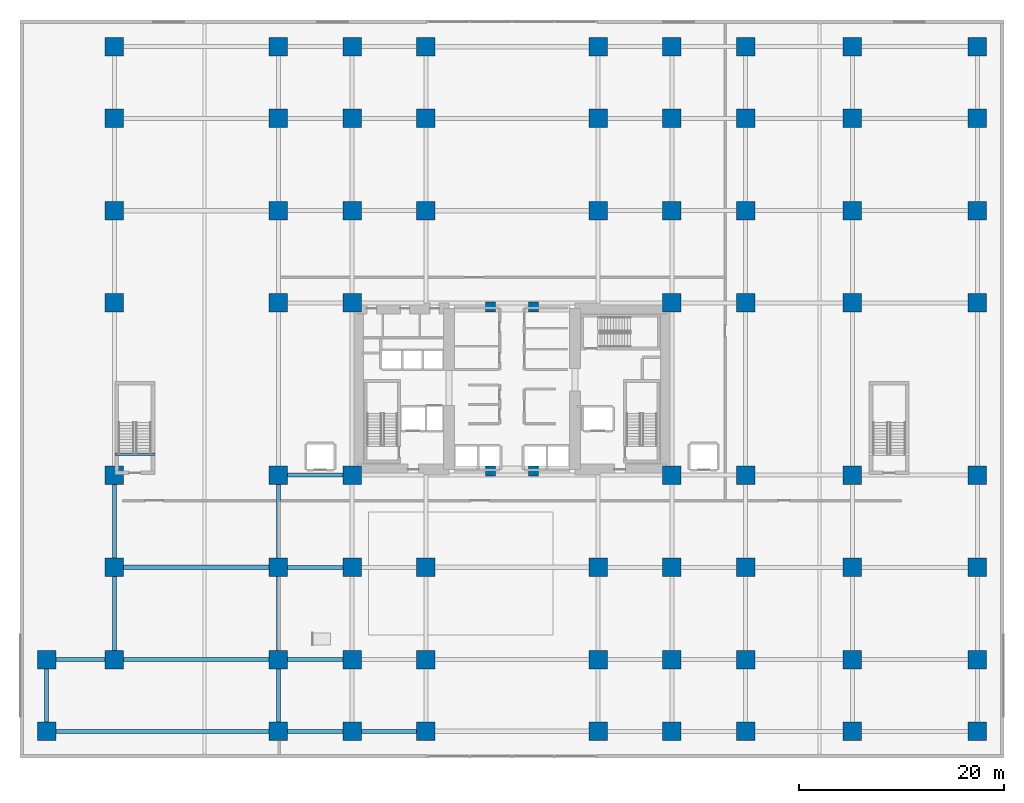
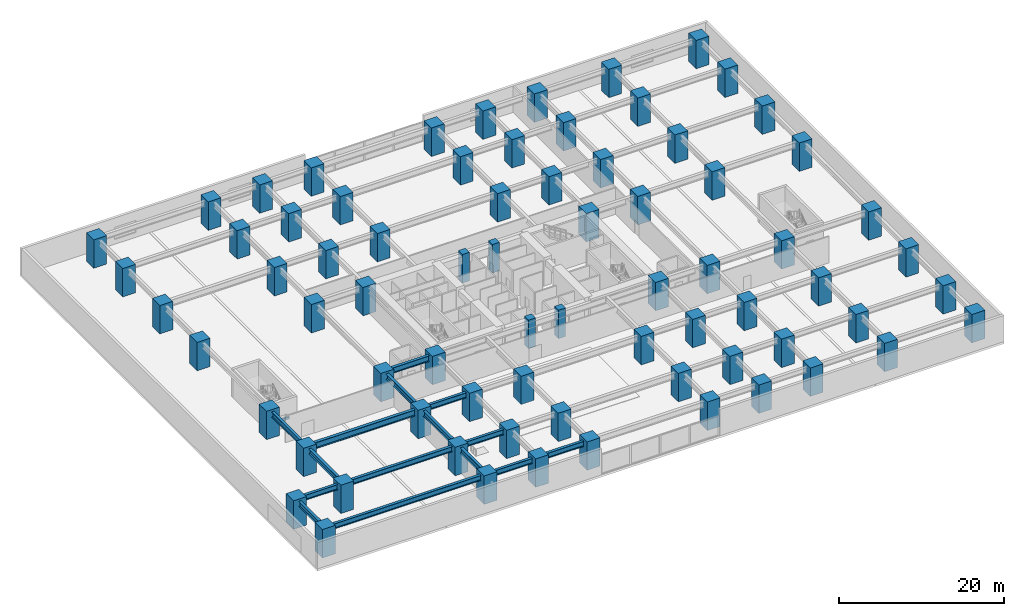
# One storey, part 1 of 22: 73 columns, 15 beams.
"""IFC4 building model written with IfcOpenShell, lengths in metres."""

from ifc_helpers import new_model, si_unit, direction, frame, origin, origin_2d, place, context, subcontext, project, spatial, rectangle, i_section, extrude, material, material_profile, profile_set, type_object, element, save


model = new_model("IFC4")

# Units and contexts
model_context = context("Model", 3, precision=1e-05, world=origin(), true_north=direction((0.0, 1.0)))
body_context = subcontext(model_context, "Body", "Model", "MODEL_VIEW")
ifc_project = project(units=[si_unit("LENGTHUNIT", "METRE"), si_unit("AREAUNIT", "SQUARE_METRE"), si_unit("VOLUMEUNIT", "CUBIC_METRE"), si_unit("PLANEANGLEUNIT", "RADIAN"), si_unit("MASSUNIT", "GRAM", prefix="KILO")], contexts=[model_context])

# Site, building, storey
site_placement = place(None, origin())
site = spatial("IfcSite", under=ifc_project, at=site_placement, CompositionType="ELEMENT")
building_placement = place(site_placement, origin())
building = spatial("IfcBuilding", under=site, at=building_placement, Name="Kiyonajd Concourse Tower", CompositionType="ELEMENT")
storey_placement = place(building_placement, frame((0.0, 0.0, 4.5)))
storey = spatial("IfcBuildingStorey", under=building, at=storey_placement, Name="L02", CompositionType="ELEMENT", Elevation=4.5)

# Columns
ifc_material_1 = material(Name="Concrete C80/95", Category="concrete")
ifc_material_profile_1 = material_profile(ifc_material_1, rectangle(XDim=1.800048828125, YDim=1.800048828125, at=origin_2d()), Name="RC-1800x1800")
ifc_profile_set_1 = profile_set([ifc_material_profile_1], Name="Concrete C80/95")
column_type_1 = type_object("IfcColumnType", Name="CL-MEGA-1800", PredefinedType="COLUMN", material=ifc_profile_set_1)
for number, where, z_axis, x_axis, name in (
    (1, (2.60009765625, 2.60009765625, 0.0), (0.0, 0.0, 1.0), (1.0, 0.0, 0.0), "L02 Podium Mega Column"),
    (2, (2.60009765625, 9.60009765625, 0.0), (0.0, 0.0, 1.0), (1.0, 0.0, 0.0), "L02 Podium Mega Column"),
    (3, (9.199951171875, 9.60009765625, 0.0), (0.0, 0.0, 1.0), (1.0, 0.0, 0.0), "L02 Podium Mega Column"),
    (4, (9.199951171875, 18.60009765625, 0.0), (0.0, 0.0, 1.0), (1.0, 0.0, 0.0), "L02 Podium Mega Column"),
    (5, (9.199951171875, 27.60009765625, 0.0), (0.0, 0.0, 1.0), (1.0, 0.0, 0.0), "L02 Podium Mega Column"),
    (6, (9.199951171875, 44.39990234375, 0.0), (0.0, 0.0, 1.0), (1.0, 0.0, 0.0), "L02 Podium Mega Column"),
    (7, (9.199951171875, 53.39990234375, 0.0), (0.0, 0.0, 1.0), (1.0, 0.0, 0.0), "L02 Podium Mega Column"),
    (8, (9.199951171875, 62.39990234375, 0.0), (0.0, 0.0, 1.0), (1.0, 0.0, 0.0), "L02 Podium Mega Column"),
    (9, (9.199951171875, 69.39990234375, 0.0), (0.0, 0.0, 1.0), (1.0, 0.0, 0.0), "L02 Podium Mega Column"),
    (10, (25.199951171875, 2.60009765625, 0.0), (0.0, 0.0, 1.0), (1.0, 0.0, 0.0), "L02 Podium Mega Column"),
    (11, (25.199951171875, 9.60009765625, 0.0), (0.0, 0.0, 1.0), (1.0, 0.0, 0.0), "L02 Podium Mega Column"),
    (12, (25.199951171875, 18.60009765625, 0.0), (0.0, 0.0, 1.0), (1.0, 0.0, 0.0), "L02 Podium Mega Column"),
    (13, (25.199951171875, 27.60009765625, 0.0), (0.0, 0.0, 1.0), (1.0, 0.0, 0.0), "L02 Podium Mega Column"),
    (14, (25.199951171875, 44.39990234375, 0.0), (0.0, 0.0, 1.0), (1.0, 0.0, 0.0), "L02 Podium Mega Column"),
    (15, (25.199951171875, 53.39990234375, 0.0), (0.0, 0.0, 1.0), (1.0, 0.0, 0.0), "L02 Podium Mega Column"),
    (16, (25.199951171875, 62.39990234375, 0.0), (0.0, 0.0, 1.0), (1.0, 0.0, 0.0), "L02 Podium Mega Column"),
    (17, (25.199951171875, 69.39990234375, 0.0), (0.0, 0.0, 1.0), (1.0, 0.0, 0.0), "L02 Podium Mega Column"),
    (18, (32.39990234375, 2.60009765625, 0.0), (0.0, 0.0, 1.0), (1.0, 0.0, 0.0), "L02 Podium Mega Column"),
    (19, (32.39990234375, 9.60009765625, 0.0), (0.0, 0.0, 1.0), (1.0, 0.0, 0.0), "L02 Podium Mega Column"),
    (20, (32.39990234375, 18.60009765625, 0.0), (0.0, 0.0, 1.0), (1.0, 0.0, 0.0), "L02 Podium Mega Column"),
    (21, (32.39990234375, 27.60009765625, 0.0), (0.0, 0.0, 1.0), (1.0, 0.0, 0.0), "L02 Podium Mega Column"),
    (22, (32.39990234375, 44.39990234375, 0.0), (0.0, 0.0, 1.0), (1.0, 0.0, 0.0), "L02 Podium Mega Column"),
    (23, (32.39990234375, 53.39990234375, 0.0), (0.0, 0.0, 1.0), (1.0, 0.0, 0.0), "L02 Podium Mega Column"),
    (24, (32.39990234375, 62.39990234375, 0.0), (0.0, 0.0, 1.0), (1.0, 0.0, 0.0), "L02 Podium Mega Column"),
    (25, (32.39990234375, 69.39990234375, 0.0), (0.0, 0.0, 1.0), (1.0, 0.0, 0.0), "L02 Podium Mega Column"),
    (26, (39.60009765625, 2.60009765625, 0.0), (0.0, 0.0, 1.0), (1.0, 0.0, 0.0), "L02 Podium Mega Column"),
    (27, (39.60009765625, 9.60009765625, 0.0), (0.0, 0.0, 1.0), (1.0, 0.0, 0.0), "L02 Podium Mega Column"),
    (28, (39.60009765625, 18.60009765625, 0.0), (0.0, 0.0, 1.0), (1.0, 0.0, 0.0), "L02 Podium Mega Column"),
    (29, (39.60009765625, 53.39990234375, 0.0), (0.0, 0.0, 1.0), (1.0, 0.0, 0.0), "L02 Podium Mega Column"),
    (30, (39.60009765625, 62.39990234375, 0.0), (0.0, 0.0, 1.0), (1.0, 0.0, 0.0), "L02 Podium Mega Column"),
    (31, (39.60009765625, 69.39990234375, 0.0), (0.0, 0.0, 1.0), (1.0, 0.0, 0.0), "L02 Podium Mega Column"),
    (32, (56.39990234375, 2.60009765625, 0.0), (0.0, 0.0, 1.0), (1.0, 0.0, 0.0), "L02 Podium Mega Column"),
    (33, (56.39990234375, 9.60009765625, 0.0), (0.0, 0.0, 1.0), (1.0, 0.0, 0.0), "L02 Podium Mega Column"),
    (34, (56.39990234375, 18.60009765625, 0.0), (0.0, 0.0, 1.0), (1.0, 0.0, 0.0), "L02 Podium Mega Column"),
    (35, (56.39990234375, 53.39990234375, 0.0), (0.0, 0.0, 1.0), (1.0, 0.0, 0.0), "L02 Podium Mega Column"),
    (36, (56.39990234375, 62.39990234375, 0.0), (0.0, 0.0, 1.0), (1.0, 0.0, 0.0), "L02 Podium Mega Column"),
    (37, (56.39990234375, 69.39990234375, 0.0), (0.0, 0.0, 1.0), (1.0, 0.0, 0.0), "L02 Podium Mega Column"),
    (38, (63.60009765625, 2.60009765625, 0.0), (0.0, 0.0, 1.0), (1.0, 0.0, 0.0), "L02 Podium Mega Column"),
    (39, (63.60009765625, 9.60009765625, 0.0), (0.0, 0.0, 1.0), (1.0, 0.0, 0.0), "L02 Podium Mega Column"),
    (40, (63.60009765625, 18.60009765625, 0.0), (0.0, 0.0, 1.0), (1.0, 0.0, 0.0), "L02 Podium Mega Column"),
    (41, (63.60009765625, 27.60009765625, 0.0), (0.0, 0.0, 1.0), (1.0, 0.0, 0.0), "L02 Podium Mega Column"),
    (42, (63.60009765625, 44.39990234375, 0.0), (0.0, 0.0, 1.0), (1.0, 0.0, 0.0), "L02 Podium Mega Column"),
    (43, (63.60009765625, 53.39990234375, 0.0), (0.0, 0.0, 1.0), (1.0, 0.0, 0.0), "L02 Podium Mega Column"),
    (44, (63.60009765625, 62.39990234375, 0.0), (0.0, 0.0, 1.0), (1.0, 0.0, 0.0), "L02 Podium Mega Column"),
    (45, (63.60009765625, 69.39990234375, 0.0), (0.0, 0.0, 1.0), (1.0, 0.0, 0.0), "L02 Podium Mega Column"),
    (46, (70.800048828125, 2.60009765625, 0.0), (0.0, 0.0, 1.0), (1.0, 0.0, 0.0), "L02 Podium Mega Column"),
    (47, (70.800048828125, 9.60009765625, 0.0), (0.0, 0.0, 1.0), (1.0, 0.0, 0.0), "L02 Podium Mega Column"),
    (48, (70.800048828125, 18.60009765625, 0.0), (0.0, 0.0, 1.0), (1.0, 0.0, 0.0), "L02 Podium Mega Column"),
    (49, (70.800048828125, 27.60009765625, 0.0), (0.0, 0.0, 1.0), (1.0, 0.0, 0.0), "L02 Podium Mega Column"),
    (50, (70.800048828125, 44.39990234375, 0.0), (0.0, 0.0, 1.0), (1.0, 0.0, 0.0), "L02 Podium Mega Column"),
    (51, (70.800048828125, 53.39990234375, 0.0), (0.0, 0.0, 1.0), (1.0, 0.0, 0.0), "L02 Podium Mega Column"),
    (52, (70.800048828125, 62.39990234375, 0.0), (0.0, 0.0, 1.0), (1.0, 0.0, 0.0), "L02 Podium Mega Column"),
    (53, (70.800048828125, 69.39990234375, 0.0), (0.0, 0.0, 1.0), (1.0, 0.0, 0.0), "L02 Podium Mega Column"),
    (54, (81.199951171875, 2.60009765625, 0.0), (0.0, 0.0, 1.0), (1.0, 0.0, 0.0), "L02 Podium Mega Column"),
    (55, (81.199951171875, 9.60009765625, 0.0), (0.0, 0.0, 1.0), (1.0, 0.0, 0.0), "L02 Podium Mega Column"),
    (56, (81.199951171875, 18.60009765625, 0.0), (0.0, 0.0, 1.0), (1.0, 0.0, 0.0), "L02 Podium Mega Column"),
    (57, (81.199951171875, 27.60009765625, 0.0), (0.0, 0.0, 1.0), (1.0, 0.0, 0.0), "L02 Podium Mega Column"),
    (58, (81.199951171875, 44.39990234375, 0.0), (0.0, 0.0, 1.0), (1.0, 0.0, 0.0), "L02 Podium Mega Column"),
    (59, (81.199951171875, 53.39990234375, 0.0), (0.0, 0.0, 1.0), (1.0, 0.0, 0.0), "L02 Podium Mega Column"),
    (60, (81.199951171875, 62.39990234375, 0.0), (0.0, 0.0, 1.0), (1.0, 0.0, 0.0), "L02 Podium Mega Column"),
    (61, (81.199951171875, 69.39990234375, 0.0), (0.0, 0.0, 1.0), (1.0, 0.0, 0.0), "L02 Podium Mega Column"),
    (62, (93.39990234375, 2.60009765625, 0.0), (0.0, 0.0, 1.0), (1.0, 0.0, 0.0), "L02 Podium Mega Column"),
    (63, (93.39990234375, 9.60009765625, 0.0), (0.0, 0.0, 1.0), (1.0, 0.0, 0.0), "L02 Podium Mega Column"),
    (64, (93.39990234375, 18.60009765625, 0.0), (0.0, 0.0, 1.0), (1.0, 0.0, 0.0), "L02 Podium Mega Column"),
    (65, (93.39990234375, 27.60009765625, 0.0), (0.0, 0.0, 1.0), (1.0, 0.0, 0.0), "L02 Podium Mega Column"),
    (66, (93.39990234375, 44.39990234375, 0.0), (0.0, 0.0, 1.0), (1.0, 0.0, 0.0), "L02 Podium Mega Column"),
    (67, (93.39990234375, 53.39990234375, 0.0), (0.0, 0.0, 1.0), (1.0, 0.0, 0.0), "L02 Podium Mega Column"),
    (68, (93.39990234375, 62.39990234375, 0.0), (0.0, 0.0, 1.0), (1.0, 0.0, 0.0), "L02 Podium Mega Column"),
    (69, (93.39990234375, 69.39990234375, 0.0), (0.0, 0.0, 1.0), (1.0, 0.0, 0.0), "L02 Podium Mega Column"),
):
    element("IfcColumn", number, at=place(storey_placement, frame(where, z_axis=z_axis, x_axis=x_axis)), inside=storey, type_object=column_type_1, Name=name, PredefinedType="COLUMN", context=body_context, shape_type="SweptSolid", body=[
        extrude(rectangle(XDim=1.800048828125, YDim=1.800048828125, at=origin_2d()), origin(), (0.0, 0.0, 1.0), 4.199951171875),
    ])
ifc_material_2 = material(Name="Concrete C60/75", Category="concrete")
ifc_material_profile_2 = material_profile(ifc_material_2, rectangle(XDim=1.0, YDim=1.0, at=origin_2d()), Name="RC-1000x1000")
ifc_profile_set_2 = profile_set([ifc_material_profile_2], Name="Concrete C60/75")
column_type_2 = type_object("IfcColumnType", Name="CL-TUBE-1000", PredefinedType="COLUMN", material=ifc_profile_set_2)
for number, where, z_axis, x_axis, name in (
    (70, (45.89990234375, 28.0, 0.0), (0.0, 0.0, 1.0), (1.0, 0.0, 0.0), "L02 Core Tie Column South West"),
    (71, (50.10009765625, 28.0, 0.0), (0.0, 0.0, 1.0), (1.0, 0.0, 0.0), "L02 Core Tie Column South East"),
    (72, (45.89990234375, 44.0, 0.0), (0.0, 0.0, 1.0), (1.0, 0.0, 0.0), "L02 Core Tie Column North West"),
    (73, (50.10009765625, 44.0, 0.0), (0.0, 0.0, 1.0), (1.0, 0.0, 0.0), "L02 Core Tie Column North East"),
):
    element("IfcColumn", number, at=place(storey_placement, frame(where, z_axis=z_axis, x_axis=x_axis)), inside=storey, type_object=column_type_2, Name=name, PredefinedType="COLUMN", context=body_context, shape_type="SweptSolid", body=[
        extrude(rectangle(XDim=1.0, YDim=1.0, at=origin_2d()), origin(), (0.0, 0.0, 1.0), 4.199951171875),
    ])

# Beams
ifc_material_3 = material(Name="Steel ASTM A992 Grade 50", Category="steel")
ifc_material_profile_3 = material_profile(ifc_material_3, i_section(OverallWidth=0.423095703125, OverallDepth=0.93310546875, WebThickness=0.02392578125, FlangeThickness=0.042724609375, at=origin_2d()), Name="W920X446")
ifc_profile_set_3 = profile_set([ifc_material_profile_3], Name="Steel ASTM A992 Grade 50")
beam_type_1 = type_object("IfcBeamType", Name="BM-AUD-920A", PredefinedType="BEAM", material=ifc_profile_set_3)
beam_1_placement = place(storey_placement, frame((9.199951171875, 18.60009765625, 3.41357421875), z_axis=(1.0, 0.0, 0.0), x_axis=(0.0, 1.0, 0.0)))
element("IfcBeam", 74, at=beam_1_placement, inside=storey, type_object=beam_type_1, Name="L02 Auditorium Clear Span Girder", PredefinedType="BEAM", context=body_context, shape_type="SweptSolid", body=[
    extrude(i_section(OverallWidth=0.423095703125, OverallDepth=0.93310546875, WebThickness=0.02392578125, FlangeThickness=0.042724609375, at=origin_2d()), origin(), (0.0, 0.0, 1.0), 16.0),
])
ifc_material_4 = material(Name="Concrete C50/60", Category="concrete")
ifc_material_profile_4 = material_profile(ifc_material_4, rectangle(XDim=0.239990234375, YDim=0.320068359375, at=origin_2d()), Name="RCBM-240x320")
ifc_profile_set_4 = profile_set([ifc_material_profile_4], Name="Concrete C50/60")
beam_type_2 = type_object("IfcBeamType", Name="BM-LNT-250", PredefinedType="LINTEL", material=ifc_profile_set_4)
beam_2_placement = place(storey_placement, frame((9.25, 29.6298828125, -0.159912109375), z_axis=(1.0, 0.0, 0.0), x_axis=(0.0, 1.0, 0.0)))
element("IfcBeam", 75, at=beam_2_placement, inside=storey, type_object=beam_type_2, Name="L02 Stair ST4 Threshold Support Beam", PredefinedType="LINTEL", context=body_context, shape_type="SweptSolid", body=[
    extrude(rectangle(XDim=0.239990234375, YDim=0.320068359375, at=origin_2d()), origin(), (0.0, 0.0, 1.0), 3.89990234375),
])
ifc_material_profile_5 = material_profile(ifc_material_3, i_section(OverallWidth=0.381103515625, OverallDepth=0.77294921875, WebThickness=0.0166015625, FlangeThickness=0.027099609375, at=origin_2d()), Name="W760X257")
ifc_profile_set_5 = profile_set([ifc_material_profile_5], Name="Steel ASTM A992 Grade 50")
beam_type_3 = type_object("IfcBeamType", Name="BM-POD-760", PredefinedType="BEAM", material=ifc_profile_set_5)
beam_3_placement = place(storey_placement, frame((2.60009765625, 2.60009765625, 3.493408203125), z_axis=(1.0, 0.0, 0.0), x_axis=(0.0, 1.0, 0.0)))
element("IfcBeam", 76, at=beam_3_placement, inside=storey, type_object=beam_type_3, Name="L02 Podium Primary Beam", PredefinedType="BEAM", context=body_context, shape_type="SweptSolid", body=[
    extrude(i_section(OverallWidth=0.381103515625, OverallDepth=0.77294921875, WebThickness=0.0166015625, FlangeThickness=0.027099609375, at=origin_2d()), origin(), (0.0, 0.0, 1.0), 22.599853515625),
])
beam_4_placement = place(storey_placement, frame((25.199951171875, 2.60009765625, 3.493408203125), z_axis=(1.0, 0.0, 0.0), x_axis=(0.0, 1.0, 0.0)))
element("IfcBeam", 77, at=beam_4_placement, inside=storey, type_object=beam_type_3, Name="L02 Podium Primary Beam", PredefinedType="BEAM", context=body_context, shape_type="SweptSolid", body=[
    extrude(i_section(OverallWidth=0.381103515625, OverallDepth=0.77294921875, WebThickness=0.0166015625, FlangeThickness=0.027099609375, at=origin_2d()), origin(), (0.0, 0.0, 1.0), 7.199951171875),
])
beam_5_placement = place(storey_placement, frame((32.39990234375, 2.60009765625, 3.493408203125), z_axis=(1.0, 0.0, 0.0), x_axis=(0.0, 1.0, 0.0)))
element("IfcBeam", 78, at=beam_5_placement, inside=storey, type_object=beam_type_3, Name="L02 Podium Primary Beam", PredefinedType="BEAM", context=body_context, shape_type="SweptSolid", body=[
    extrude(i_section(OverallWidth=0.381103515625, OverallDepth=0.77294921875, WebThickness=0.0166015625, FlangeThickness=0.027099609375, at=origin_2d()), origin(), (0.0, 0.0, 1.0), 7.2001953125),
])
beam_6_placement = place(storey_placement, frame((2.60009765625, 9.60009765625, 3.493408203125), z_axis=(1.0, 0.0, 0.0), x_axis=(0.0, 1.0, 0.0)))
element("IfcBeam", 79, at=beam_6_placement, inside=storey, type_object=beam_type_3, Name="L02 Podium Primary Beam", PredefinedType="BEAM", context=body_context, shape_type="SweptSolid", body=[
    extrude(i_section(OverallWidth=0.381103515625, OverallDepth=0.77294921875, WebThickness=0.0166015625, FlangeThickness=0.027099609375, at=origin_2d()), origin(), (0.0, 0.0, 1.0), 22.599853515625),
])
for number, where, z_axis, x_axis, name in (
    (80, (25.199951171875, 9.60009765625, 3.493408203125), (1.0, 0.0, 0.0), (0.0, 1.0, 0.0), "L02 Podium Primary Beam"),
    (81, (25.199951171875, 18.60009765625, 3.493408203125), (1.0, 0.0, 0.0), (0.0, 1.0, 0.0), "L02 Podium Primary Beam"),
):
    element("IfcBeam", number, at=place(storey_placement, frame(where, z_axis=z_axis, x_axis=x_axis)), inside=storey, type_object=beam_type_3, Name=name, PredefinedType="BEAM", context=body_context, shape_type="SweptSolid", body=[
        extrude(i_section(OverallWidth=0.381103515625, OverallDepth=0.77294921875, WebThickness=0.0166015625, FlangeThickness=0.027099609375, at=origin_2d()), origin(), (0.0, 0.0, 1.0), 7.199951171875),
    ])
beam_7_placement = place(storey_placement, frame((2.60009765625, 2.60009765625, 3.493408203125), z_axis=(0.0, 1.0, 0.0), x_axis=(-1.0, 0.0, 0.0)))
element("IfcBeam", 82, at=beam_7_placement, inside=storey, type_object=beam_type_3, Name="L02 Podium North South Beam", PredefinedType="BEAM", context=body_context, shape_type="SweptSolid", body=[
    extrude(i_section(OverallWidth=0.381103515625, OverallDepth=0.77294921875, WebThickness=0.0166015625, FlangeThickness=0.027099609375, at=origin_2d()), origin(), (0.0, 0.0, 1.0), 7.0),
])
for number, where, z_axis, x_axis, name in (
    (83, (9.199951171875, 9.60009765625, 3.493408203125), (0.0, 1.0, 0.0), (-1.0, 0.0, 0.0), "L02 Podium North South Beam"),
    (84, (9.199951171875, 18.60009765625, 3.493408203125), (0.0, 1.0, 0.0), (-1.0, 0.0, 0.0), "L02 Podium North South Beam"),
):
    element("IfcBeam", number, at=place(storey_placement, frame(where, z_axis=z_axis, x_axis=x_axis)), inside=storey, type_object=beam_type_3, Name=name, PredefinedType="BEAM", context=body_context, shape_type="SweptSolid", body=[
        extrude(i_section(OverallWidth=0.381103515625, OverallDepth=0.77294921875, WebThickness=0.0166015625, FlangeThickness=0.027099609375, at=origin_2d()), origin(), (0.0, 0.0, 1.0), 9.0),
    ])
beam_8_placement = place(storey_placement, frame((25.199951171875, 2.60009765625, 3.493408203125), z_axis=(0.0, 1.0, 0.0), x_axis=(-1.0, 0.0, 0.0)))
element("IfcBeam", 85, at=beam_8_placement, inside=storey, type_object=beam_type_3, Name="L02 Podium North South Beam", PredefinedType="BEAM", context=body_context, shape_type="SweptSolid", body=[
    extrude(i_section(OverallWidth=0.381103515625, OverallDepth=0.77294921875, WebThickness=0.0166015625, FlangeThickness=0.027099609375, at=origin_2d()), origin(), (0.0, 0.0, 1.0), 7.0),
])
for number, where, z_axis, x_axis, name in (
    (86, (25.199951171875, 9.60009765625, 3.493408203125), (0.0, 1.0, 0.0), (-1.0, 0.0, 0.0), "L02 Podium North South Beam"),
    (87, (25.199951171875, 18.60009765625, 3.493408203125), (0.0, 1.0, 0.0), (-1.0, 0.0, 0.0), "L02 Podium North South Beam"),
):
    element("IfcBeam", number, at=place(storey_placement, frame(where, z_axis=z_axis, x_axis=x_axis)), inside=storey, type_object=beam_type_3, Name=name, PredefinedType="BEAM", context=body_context, shape_type="SweptSolid", body=[
        extrude(i_section(OverallWidth=0.381103515625, OverallDepth=0.77294921875, WebThickness=0.0166015625, FlangeThickness=0.027099609375, at=origin_2d()), origin(), (0.0, 0.0, 1.0), 9.0),
    ])
ifc_material_profile_6 = material_profile(ifc_material_3, i_section(OverallWidth=0.39990234375, OverallDepth=0.85498046875, WebThickness=0.018310546875, FlangeThickness=0.029296875, at=origin_2d()), Name="W840X299")
ifc_profile_set_6 = profile_set([ifc_material_profile_6], Name="Steel ASTM A992 Grade 50")
beam_type_4 = type_object("IfcBeamType", Name="BM-POD-840", PredefinedType="BEAM", material=ifc_profile_set_6)
beam_9_placement = place(storey_placement, frame((25.199951171875, 27.60009765625, 3.452392578125), z_axis=(1.0, 0.0, 0.0), x_axis=(0.0, 1.0, 0.0)))
element("IfcBeam", 88, at=beam_9_placement, inside=storey, type_object=beam_type_4, Name="L02 Podium Primary Beam", PredefinedType="BEAM", context=body_context, shape_type="SweptSolid", body=[
    extrude(i_section(OverallWidth=0.39990234375, OverallDepth=0.85498046875, WebThickness=0.018310546875, FlangeThickness=0.029296875, at=origin_2d()), origin(), (0.0, 0.0, 1.0), 7.199951171875),
])

save(model, "model.ifc")
